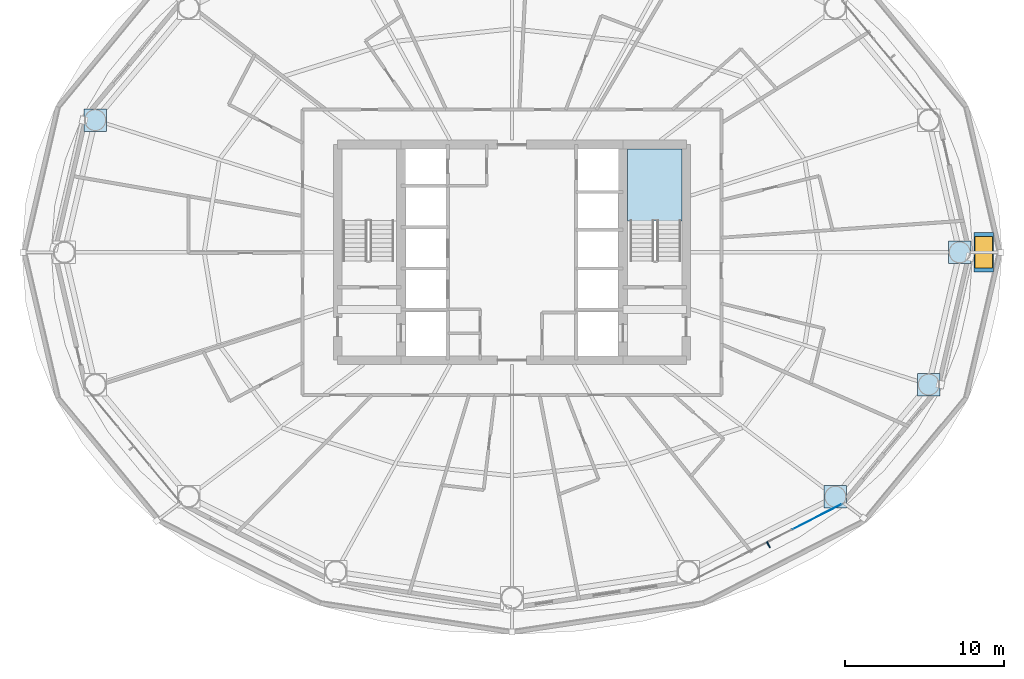
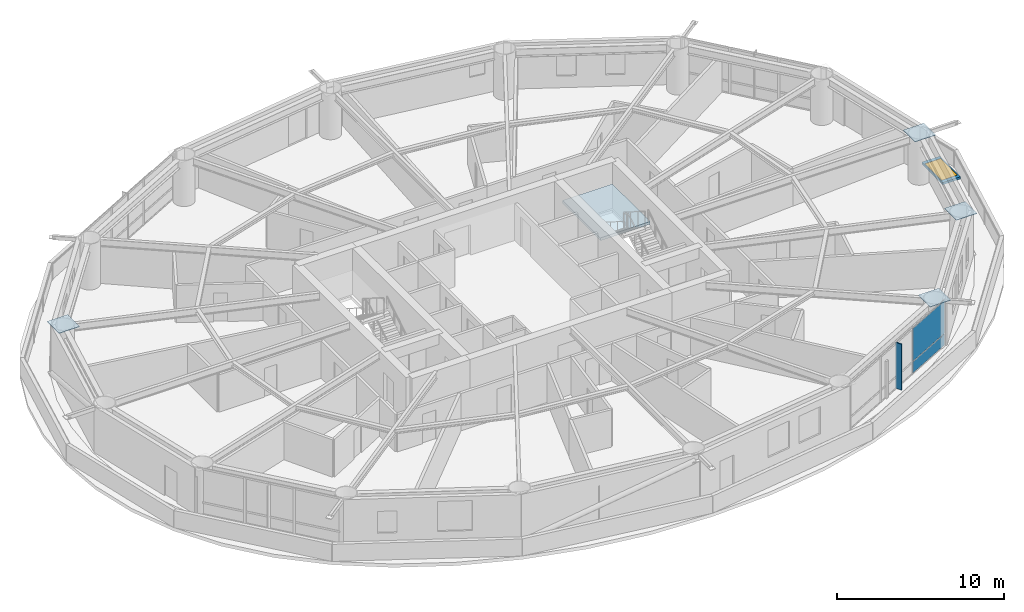
# One storey, part 16 of 25: 7 plates, 2 slabs, 1 door, 1 opening, 2 elements without a shape of their own.
"""IFC4 building model written with IfcOpenShell, lengths in metres."""

from ifc_helpers import new_model, si_unit, direction, frame, origin, origin_2d, place, context, subcontext, project, spatial, polyline, rectangle, outline, extrude, material, layer, layer_set, type_object, element, fill, aggregate, save


model = new_model("IFC4")

# Units and contexts
model_context = context("Model", 3, precision=1e-05, world=origin(), true_north=direction((0.0, 1.0)))
body_context = subcontext(model_context, "Body", "Model", "MODEL_VIEW")
ifc_project = project(units=[si_unit("LENGTHUNIT", "METRE"), si_unit("AREAUNIT", "SQUARE_METRE"), si_unit("VOLUMEUNIT", "CUBIC_METRE"), si_unit("PLANEANGLEUNIT", "RADIAN"), si_unit("MASSUNIT", "GRAM", prefix="KILO")], contexts=[model_context])

# Site, building, storey
site_placement = place(None, origin())
site = spatial("IfcSite", under=ifc_project, at=site_placement, CompositionType="ELEMENT")
building_placement = place(site_placement, origin())
building = spatial("IfcBuilding", under=site, at=building_placement, Name="Sarneth Arch Tower", CompositionType="ELEMENT")
storey_placement = place(building_placement, frame((0.0, 0.0, 84.0)))
storey = spatial("IfcBuildingStorey", under=building, at=storey_placement, Name="L20", CompositionType="ELEMENT", Elevation=84.0)

# Curtain wall, plates
ifc_material_1 = material(Name="Anodised aluminium Type AA25 and solar-control low-e laminated IGU", Category="aluminium")
ifc_layer_1 = layer(ifc_material_1, 0.159912109375)
ifc_layer_set_1 = layer_set([ifc_layer_1], Name="Anodised aluminium Type AA25 and solar-control low-e laminated IGU")
curtain_wall_type = type_object("IfcCurtainWallType", Name="CW-HOTEL-MID", PredefinedType="NOTDEFINED", material=ifc_layer_set_1)
curtain_wall_placement = place(storey_placement, origin())
curtain_wall = element("IfcCurtainWall", 1, at=curtain_wall_placement, inside=storey, type_object=curtain_wall_type, Name="L20 Unitised curtain wall facet 14", PredefinedType="NOTDEFINED")
ifc_material_2 = material(Name="Solar-control low-e laminated IGU", Category="glass")
ifc_layer_2 = layer(ifc_material_2, 0.028076171875)
ifc_layer_set_2 = layer_set([ifc_layer_2], Name="Solar-control low-e laminated IGU")
plate_type_1 = type_object("IfcPlateType", Name="CW-PANEL", PredefinedType="CURTAIN_PANEL", material=ifc_layer_set_2)
plate_1_placement = place(storey_placement, frame((67.2451171875, 25.322265625, 0.06005859375), z_axis=(0.0, 0.0, 1.0), x_axis=(0.889963703649, 0.456031365356, 0.0)))
plate_1 = element("IfcPlate", 2, at=plate_1_placement, type_object=plate_type_1, Name="Curtain wall glazed vision pane CW-L20-F14/P02-00", PredefinedType="CURTAIN_PANEL", context=body_context, shape_type="SweptSolid", body=[
    extrude(rectangle(XDim=3.464111328125, YDim=0.028076171875, at=origin_2d()), origin(), (0.0, 0.0, 1.0), 0.81005859375),
])
plate_2_placement = place(storey_placement, frame((67.2451171875, 25.322265625, 0.93017578125), z_axis=(0.0, 0.0, 1.0), x_axis=(0.889963703649, 0.456031365356, 0.0)))
plate_2 = element("IfcPlate", 3, at=plate_2_placement, type_object=plate_type_1, Name="Curtain wall glazed vision pane CW-L20-F14/P02-01", PredefinedType="CURTAIN_PANEL", context=body_context, shape_type="SweptSolid", body=[
    extrude(rectangle(XDim=3.464111328125, YDim=0.028076171875, at=origin_2d()), origin(), (0.0, 0.0, 1.0), 2.389892578125),
])
aggregate(curtain_wall, [plate_1, plate_2])

# Plates
ifc_material_3 = material(Name="Steel S355", Category="steel")
ifc_layer_3 = layer(ifc_material_3, 0.0400390625)
ifc_layer_set_3 = layer_set([ifc_layer_3], Name="Steel S355")
plate_type_2 = type_object("IfcPlateType", Name="PLT-SPLICE-40", PredefinedType="SHEET", material=ifc_layer_set_3)
for number, where, z_axis, x_axis, name in (
    (4, (76.236572265625, 42.0, 3.36181640625), (0.0, 0.0, 1.0), (1.0, 0.0, 0.0), "Steel end cap plate GP-2"),
    (5, (21.708740234375, 50.342529296875, 3.36181640625), (0.0, 0.0, 1.0), (1.0, 0.0, 0.0), "Steel end cap plate GP-2"),
    (6, (68.397705078125, 26.5849609375, 3.36181640625), (0.0, 0.0, 1.0), (1.0, 0.0, 0.0), "Steel end cap plate GP-2"),
    (7, (74.291259765625, 33.657470703125, 3.36181640625), (0.0, 0.0, 1.0), (1.0, 0.0, 0.0), "Steel end cap plate GP-2"),
):
    element("IfcPlate", number, at=place(storey_placement, frame(where, z_axis=z_axis, x_axis=x_axis)), inside=storey, type_object=plate_type_2, Name=name, PredefinedType="SHEET", context=body_context, shape_type="SweptSolid", body=[
        extrude(rectangle(XDim=1.429931640625, YDim=1.429931640625, at=origin_2d()), origin(), (0.0, 0.0, 1.0), 0.035888671875),
    ])
ifc_material_4 = material(Name="Extruded glazed terracotta baguette fin on Aluminium 6063-T6 carrier", Category="masonry")
ifc_layer_4 = layer(ifc_material_4, 0.080078125)
ifc_layer_set_4 = layer_set([ifc_layer_4], Name="Extruded glazed terracotta baguette fin on Aluminium 6063-T6 carrier")
plate_type_3 = type_object("IfcPlateType", Name="SHADE-TERRA-FIN", PredefinedType="SHEET", material=ifc_layer_set_4)
plate_3_placement = place(storey_placement, frame((64.173095703125, 23.55712890625, 0.009765625), z_axis=(0.0, 0.0, 1.0), x_axis=(0.456010959102, -0.889974159838, 0.0)))
element("IfcPlate", 8, at=plate_3_placement, inside=storey, type_object=plate_type_3, Name="L20 Terracotta vertical shading fin 14", PredefinedType="SHEET", context=body_context, shape_type="SweptSolid", body=[
    extrude(rectangle(XDim=0.419921875, YDim=0.080078125, at=origin_2d()), origin(), (0.0, 0.0, 1.0), 3.360107421875),
])

# Slab, opening, door
ifc_material_5 = material(Name="Concrete C50/60", Category="concrete")
ifc_layer_5 = layer(ifc_material_5, 0.159912109375)
ifc_layer_set_5 = layer_set([ifc_layer_5], Name="Concrete C50/60")
slab_type_1 = type_object("IfcSlabType", Name="SLAB-KERB-160", PredefinedType="ROOF", material=ifc_layer_set_5)
slab_1_placement = place(storey_placement, origin())
slab_1 = element("IfcSlab", 9, at=slab_1_placement, inside=storey, type_object=slab_type_1, Name="L20 Roof hatch upstand kerb HATCH-L20-SET", PredefinedType="ROOF", context=body_context, shape_type="SweptSolid", body=[
    extrude(outline(polyline([(77.1298828125, 40.75), (78.3701171875, 40.75), (78.3701171875, 43.25), (77.1298828125, 43.25), (77.1298828125, 40.75)]), holes=[polyline([(77.199951171875, 41.0), (78.300048828125, 41.0), (78.300048828125, 43.0), (77.199951171875, 43.0), (77.199951171875, 41.0)])]), origin(), (0.0, 0.0, 1.0), 0.159912109375),
])
opening_placement = place(slab_1_placement, frame((77.75, 42.0, 0.0)))
opening = element("IfcOpeningElement", 10, at=opening_placement, cuts=slab_1, Name="Opening RH-1", PredefinedType="OPENING", context=body_context, shape_type="SweptSolid", body=[
    extrude(rectangle(XDim=1.10009765625, YDim=2.0, at=origin_2d()), origin(), (0.0, 0.0, 1.0), 0.159912109375),
])
ifc_material_6 = material(Name="Thermally broken Aluminium 6063-T6 and laminated safety glass", Category="aluminium")
door_type = type_object("IfcDoorType", Name="DR-ROOF-HATCH", OperationType="SINGLE_SWING_LEFT", PredefinedType="TRAPDOOR", material=ifc_material_6)
door_placement = place(opening_placement, frame((0.0, 0.0, 0.10986328125)))
door = element("IfcDoor", 11, at=door_placement, inside=storey, type_object=door_type, Name="L20 Maintenance Roof Access Hatch HATCH-L20-SET", OperationType="SINGLE_SWING_LEFT", OverallHeight=2.0, OverallWidth=1.10009765625, PredefinedType="TRAPDOOR", context=body_context, shape_type="SweptSolid", body=[
    extrude(rectangle(XDim=1.10009765625, YDim=2.0, at=origin_2d()), origin(), (0.0, 0.0, 1.0), 0.050048828125),
])
fill(opening, door)

# Stair, slab
ifc_material_7 = material(Name="Concrete C50/60", Category="concrete")
stair_type = type_object("IfcStairType", Name="STAIR-CORE-RC", PredefinedType="HALF_TURN_STAIR", material=ifc_material_7)
stair_placement = place(storey_placement, origin())
stair = element("IfcStair", 12, at=stair_placement, inside=storey, type_object=stair_type, Name="L20 Core Exit Stair 2", PredefinedType="HALF_TURN_STAIR")
ifc_material_8 = material(Name="Concrete C50/60", Category="concrete")
ifc_layer_6 = layer(ifc_material_8, 0.199951171875)
ifc_layer_set_6 = layer_set([ifc_layer_6], Name="Concrete C50/60")
slab_type_2 = type_object("IfcSlabType", Name="SLAB-LANDING-200", PredefinedType="LANDING", material=ifc_layer_set_6)
slab_2_placement = place(storey_placement, frame((0.0, 0.0, 1.60009765625)))
slab_2 = element("IfcSlab", 13, at=slab_2_placement, type_object=slab_type_2, Name="ST-2 landing 1", PredefinedType="LANDING", context=body_context, shape_type="SweptSolid", body=[
    extrude(outline(polyline([(55.27490234375, 43.985107421875), (58.72509765625, 43.985107421875), (58.72509765625, 48.52490234375), (55.27490234375, 48.52490234375), (55.27490234375, 43.985107421875)])), origin(), (0.0, 0.0, 1.0), 0.199951171875),
])
aggregate(stair, [slab_2])

save(model, "model.ifc")
